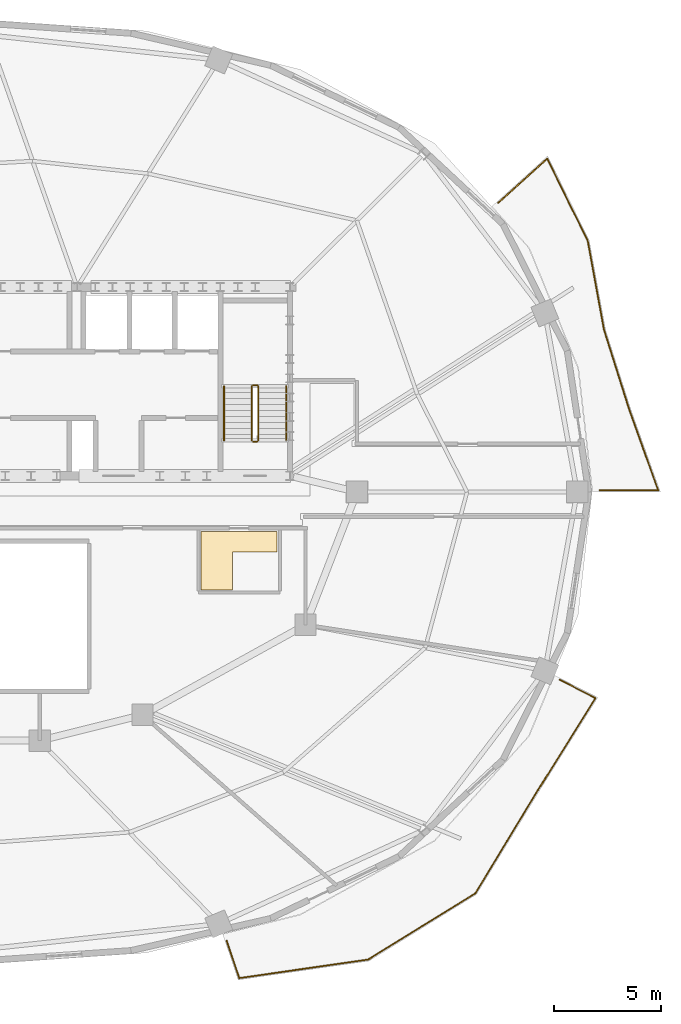
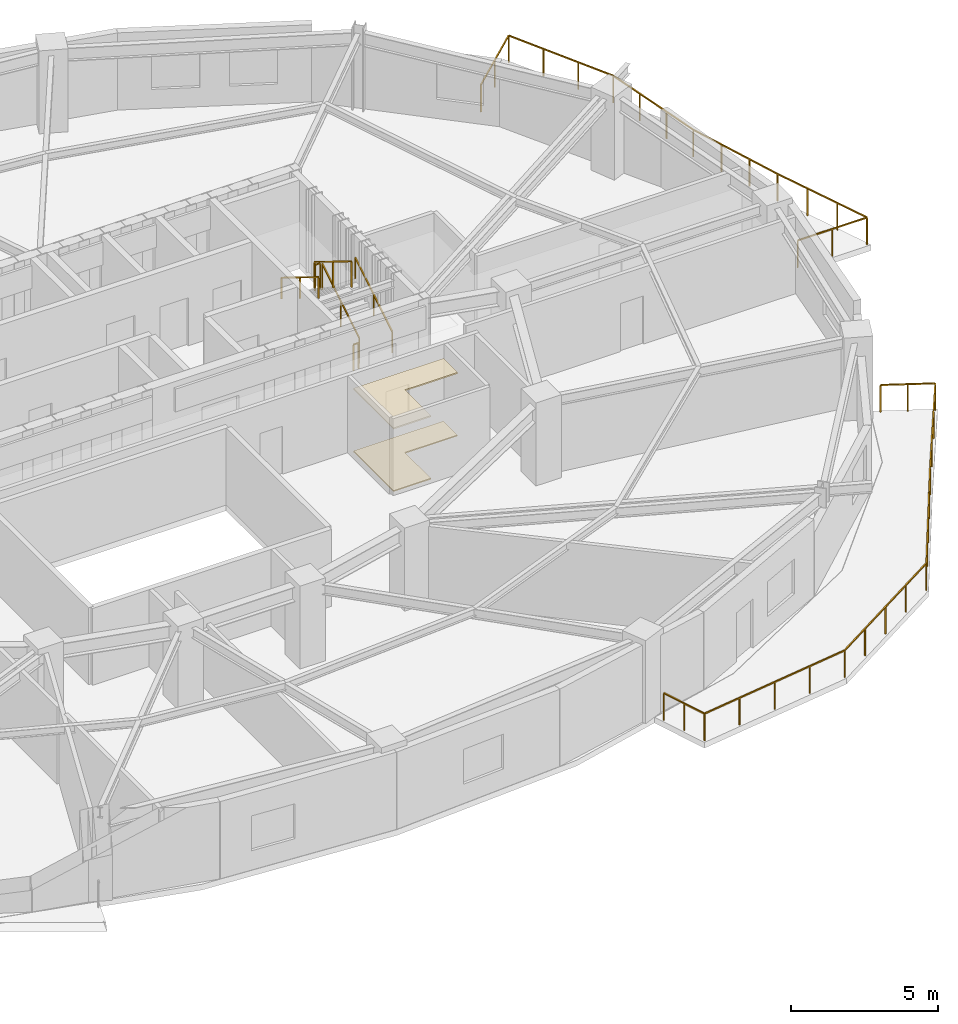
# One storey, part 11 of 11: 8 railings, 2 coverings.
"""IFC4 building model written with IfcOpenShell, lengths in metres."""

from ifc_helpers import new_model, si_unit, direction, frame, origin, origin_2d, place, context, subcontext, project, spatial, polyline, rectangle, outline, extrude, material, layer, layer_set, type_object, element, save


model = new_model("IFC4")

# Units and contexts
model_context = context("Model", 3, precision=1e-05, world=origin(), true_north=direction((0.0, 1.0)))
body_context = subcontext(model_context, "Body", "Model", "MODEL_VIEW")
ifc_project = project(units=[si_unit("LENGTHUNIT", "METRE"), si_unit("AREAUNIT", "SQUARE_METRE"), si_unit("VOLUMEUNIT", "CUBIC_METRE"), si_unit("PLANEANGLEUNIT", "RADIAN"), si_unit("MASSUNIT", "GRAM", prefix="KILO")], contexts=[model_context])

# Site, building, storey
site_placement = place(None, origin())
site = spatial("IfcSite", under=ifc_project, at=site_placement, CompositionType="ELEMENT")
building_placement = place(site_placement, origin())
building = spatial("IfcBuilding", under=site, at=building_placement, Name="Haldorwick Loom Tower", CompositionType="ELEMENT")
storey_placement = place(building_placement, frame((0.0, 0.0, 230.550048828125)))
storey = spatial("IfcBuildingStorey", under=building, at=storey_placement, Name="L62", CompositionType="ELEMENT", Elevation=230.550048828125)

# Coverings
ifc_material_1 = material(Name="Mineral Fibre Acoustic Ceiling Tile")
ifc_layer_1 = layer(ifc_material_1, 0.054931640625, Name="Mineral Fibre Acoustic Ceiling Tile")
ifc_layer_set_1 = layer_set([ifc_layer_1], Name="Mineral Fibre Acoustic Ceiling Tile")
covering_type_1 = type_object("IfcCoveringType", Name="ARC-COV-CEIL2", PredefinedType="CEILING", material=ifc_layer_set_1)
covering_1_placement = place(storey_placement, frame((0.0, 0.0, 2.594970703125)))
element("IfcCovering", 1, at=covering_1_placement, inside=storey, type_object=covering_type_1, Name="L62 Acoustic Suspended Ceiling 2", PredefinedType="CEILING", context=body_context, shape_type="SweptSolid", body=[
    extrude(outline(polyline([(45.929931640625, 24.159912109375), (45.929931640625, 21.429931640625), (47.39990234375, 21.429931640625), (47.39990234375, 23.199951171875), (49.469970703125, 23.199951171875), (49.469970703125, 24.159912109375), (45.929931640625, 24.159912109375)])), origin(), (0.0, 0.0, 1.0), 0.054931640625),
])
ifc_material_2 = material(Name="Polished Aggregate Terrazzo Finish")
ifc_layer_2 = layer(ifc_material_2, 0.044921875, Name="Polished Aggregate Terrazzo Finish")
ifc_layer_set_2 = layer_set([ifc_layer_2], Name="Polished Aggregate Terrazzo Finish")
covering_type_2 = type_object("IfcCoveringType", Name="ARC-COV-FLOOR2", PredefinedType="FLOORING", material=ifc_layer_set_2)
covering_2_placement = place(storey_placement, origin())
element("IfcCovering", 2, at=covering_2_placement, inside=storey, type_object=covering_type_2, Name="L62 Floor Finish 2", PredefinedType="FLOORING", context=body_context, shape_type="SweptSolid", body=[
    extrude(outline(polyline([(45.929931640625, 24.159912109375), (45.929931640625, 21.429931640625), (47.39990234375, 21.429931640625), (47.39990234375, 23.199951171875), (49.469970703125, 23.199951171875), (49.469970703125, 24.159912109375), (45.929931640625, 24.159912109375)])), origin(), (0.0, 0.0, 1.0), 0.044921875),
])

# Railings
ifc_material_3 = material(Name="Galvanized Steel CSA G40.21 350W", Category="steel")
railing_type_1 = type_object("IfcRailingType", Name="ARC-RLG-BAL115", PredefinedType="BALUSTRADE", material=ifc_material_3)
railing_1_placement = place(storey_placement, frame((62.661376953125, 17.2353515625, 0.0)))
element("IfcRailing", 3, at=railing_1_placement, inside=storey, type_object=railing_type_1, Name="L62 Outdoor Terrace Guardrail SLB-L62-BAL_SE-1", PredefinedType="BALUSTRADE", context=body_context, shape_type="SweptSolid", body=[
    extrude(rectangle(XDim=0.048095703125, YDim=0.048095703125, at=origin_2d()), frame((0.0, 0.0, 1.1259765625), z_axis=(0.890893691189, -0.454211878973, 0.0), x_axis=(0.454211878973, 0.890893691189, 0.0)), (0.0, 0.0, 1.0), 1.8662109375),
    extrude(rectangle(XDim=0.048095703125, YDim=0.048095703125, at=origin_2d()), frame((1.66259765625, -0.84765625, 1.1259765625), z_axis=(-0.530279090567, -0.847823145536, 0.0), x_axis=(0.847823145536, -0.530279090567, 0.0)), (0.0, 0.0, 1.0), 5.012939453125),
    extrude(rectangle(XDim=0.048095703125, YDim=0.048095703125, at=origin_2d()), frame((-0.99560546875, -5.09765625, 1.1259765625), z_axis=(-0.6, -0.8, 0.0), x_axis=(0.8, -0.6, 0.0)), (0.0, 0.0, 1.0), 0.001220703125),
    extrude(rectangle(XDim=0.048095703125, YDim=0.048095703125, at=origin_2d()), frame((-0.996337890625, -5.0986328125, 1.1259765625), z_axis=(-0.519275509601, -0.854606895086, 0.0), x_axis=(0.854606895086, -0.519275509601, 0.0)), (0.0, 0.0, 1.0), 5.6767578125),
    extrude(rectangle(XDim=0.048095703125, YDim=0.048095703125, at=origin_2d()), frame((-3.944091796875, -9.949951171875, 1.1259765625), z_axis=(-0.850370602088, -0.526184225442, 0.0), x_axis=(0.526184225442, -0.850370602088, 0.0)), (0.0, 0.0, 1.0), 5.870361328125),
    extrude(rectangle(XDim=0.048095703125, YDim=0.048095703125, at=origin_2d()), frame((-8.93603515625, -13.038818359375, 1.1259765625), z_axis=(-0.989779162617, -0.142608587572, 0.0), x_axis=(0.142608587572, -0.989779162617, 0.0)), (0.0, 0.0, 1.0), 6.073974609375),
    extrude(rectangle(XDim=0.048095703125, YDim=0.048095703125, at=origin_2d()), frame((-14.947998046875, -13.905029296875, 1.1259765625), z_axis=(-0.320464888743, 0.94726039455, 0.0), x_axis=(-0.94726039455, -0.320464888743, 0.0)), (0.0, 0.0, 1.0), 1.84814453125),
    extrude(rectangle(XDim=0.0419921875, YDim=0.0419921875, at=origin_2d()), origin(), (0.0, 0.0, 1.0), 1.101806640625),
    extrude(rectangle(XDim=0.0419921875, YDim=0.0419921875, at=origin_2d()), frame((0.831298828125, -0.423828125, 0.0)), (0.0, 0.0, 1.0), 1.101806640625),
    extrude(rectangle(XDim=0.0419921875, YDim=0.0419921875, at=origin_2d()), frame((1.66259765625, -0.84765625, 0.0)), (0.0, 0.0, 1.0), 1.101806640625),
    extrude(rectangle(XDim=0.0419921875, YDim=0.0419921875, at=origin_2d()), frame((0.776611328125, -2.264404296875, 0.0)), (0.0, 0.0, 1.0), 1.101806640625),
    extrude(rectangle(XDim=0.0419921875, YDim=0.0419921875, at=origin_2d()), frame((-0.109619140625, -3.680908203125, 0.0)), (0.0, 0.0, 1.0), 1.101806640625),
    extrude(rectangle(XDim=0.0419921875, YDim=0.0419921875, at=origin_2d()), frame((-0.99560546875, -5.09765625, 0.0)), (0.0, 0.0, 1.0), 1.101806640625),
    extrude(rectangle(XDim=0.0419921875, YDim=0.0419921875, at=origin_2d()), frame((-1.7333984375, -6.3115234375, 0.0)), (0.0, 0.0, 1.0), 1.101806640625),
    extrude(rectangle(XDim=0.0419921875, YDim=0.0419921875, at=origin_2d()), frame((-2.47021484375, -7.5244140625, 0.0)), (0.0, 0.0, 1.0), 1.101806640625),
    extrude(rectangle(XDim=0.0419921875, YDim=0.0419921875, at=origin_2d()), frame((-3.20703125, -8.737060546875, 0.0)), (0.0, 0.0, 1.0), 1.101806640625),
    extrude(rectangle(XDim=0.0419921875, YDim=0.0419921875, at=origin_2d()), frame((-3.944091796875, -9.949951171875, 0.0)), (0.0, 0.0, 1.0), 1.101806640625),
    extrude(rectangle(XDim=0.0419921875, YDim=0.0419921875, at=origin_2d()), frame((-5.192138671875, -10.72216796875, 0.0)), (0.0, 0.0, 1.0), 1.101806640625),
    extrude(rectangle(XDim=0.0419921875, YDim=0.0419921875, at=origin_2d()), frame((-6.43994140625, -11.494384765625, 0.0)), (0.0, 0.0, 1.0), 1.101806640625),
    extrude(rectangle(XDim=0.0419921875, YDim=0.0419921875, at=origin_2d()), frame((-7.68798828125, -12.2666015625, 0.0)), (0.0, 0.0, 1.0), 1.101806640625),
    extrude(rectangle(XDim=0.0419921875, YDim=0.0419921875, at=origin_2d()), frame((-8.93603515625, -13.038818359375, 0.0)), (0.0, 0.0, 1.0), 1.101806640625),
    extrude(rectangle(XDim=0.0419921875, YDim=0.0419921875, at=origin_2d()), frame((-10.43896484375, -13.25537109375, 0.0)), (0.0, 0.0, 1.0), 1.101806640625),
    extrude(rectangle(XDim=0.0419921875, YDim=0.0419921875, at=origin_2d()), frame((-11.94189453125, -13.471923828125, 0.0)), (0.0, 0.0, 1.0), 1.101806640625),
    extrude(rectangle(XDim=0.0419921875, YDim=0.0419921875, at=origin_2d()), frame((-13.445068359375, -13.6884765625, 0.0)), (0.0, 0.0, 1.0), 1.101806640625),
    extrude(rectangle(XDim=0.0419921875, YDim=0.0419921875, at=origin_2d()), frame((-14.947998046875, -13.905029296875, 0.0)), (0.0, 0.0, 1.0), 1.101806640625),
    extrude(rectangle(XDim=0.0419921875, YDim=0.0419921875, at=origin_2d()), frame((-15.244140625, -13.02978515625, 0.0)), (0.0, 0.0, 1.0), 1.101806640625),
    extrude(rectangle(XDim=0.0419921875, YDim=0.0419921875, at=origin_2d()), frame((-15.540283203125, -12.154296875, 0.0)), (0.0, 0.0, 1.0), 1.101806640625),
])
railing_2_placement = place(storey_placement, frame((59.788818359375, 39.48046875, 0.0)))
element("IfcRailing", 4, at=railing_2_placement, inside=storey, type_object=railing_type_1, Name="L62 Outdoor Terrace Guardrail SLB-L62-BAL_ENE-1", PredefinedType="BALUSTRADE", context=body_context, shape_type="SweptSolid", body=[
    extrude(rectangle(XDim=0.048095703125, YDim=0.048095703125, at=origin_2d()), frame((0.0, 0.0, 1.1259765625), z_axis=(0.741629818427, 0.670809371148, 0.0), x_axis=(-0.670809371148, 0.741629818427, 0.0)), (0.0, 0.0, 1.0), 3.074951171875),
    extrude(rectangle(XDim=0.048095703125, YDim=0.048095703125, at=origin_2d()), frame((2.280517578125, 2.062744140625, 1.1259765625), z_axis=(0.441327923255, -0.897345899949, 0.0), x_axis=(0.897345899949, 0.441327923255, 0.0)), (0.0, 0.0, 1.0), 4.287841796875),
    extrude(rectangle(XDim=0.048095703125, YDim=0.048095703125, at=origin_2d()), frame((4.1728515625, -1.784912109375, 1.1259765625), z_axis=(0.179997784383, -0.983667015619, 0.0), x_axis=(0.983667015619, 0.179997784383, 0.0)), (0.0, 0.0, 1.0), 4.210205078125),
    extrude(rectangle(XDim=0.048095703125, YDim=0.048095703125, at=origin_2d()), frame((4.9306640625, -5.92626953125, 1.1259765625), z_axis=(0.242535625036, -0.970142500145, 0.0), x_axis=(0.970142500145, 0.242535625036, 0.0)), (0.0, 0.0, 1.0), 0.010009765625),
    extrude(rectangle(XDim=0.048095703125, YDim=0.048095703125, at=origin_2d()), frame((4.93310546875, -5.93603515625, 1.1259765625), z_axis=(0.301772587329, -0.953379937662, 0.0), x_axis=(0.953379937662, 0.301772587329, 0.0)), (0.0, 0.0, 1.0), 3.880859375),
    extrude(rectangle(XDim=0.048095703125, YDim=0.048095703125, at=origin_2d()), frame((6.104248046875, -9.635986328125, 1.1259765625), z_axis=(0.341743063087, -0.939793423488, 0.0), x_axis=(0.939793423488, 0.341743063087, 0.0)), (0.0, 0.0, 1.0), 0.0029296875),
    extrude(rectangle(XDim=0.048095703125, YDim=0.048095703125, at=origin_2d()), frame((6.105224609375, -9.638671875, 1.1259765625), z_axis=(0.337156851185, -0.941448489137, 0.0), x_axis=(0.941448489137, 0.337156851185, 0.0)), (0.0, 0.0, 1.0), 3.99560546875),
    extrude(rectangle(XDim=0.048095703125, YDim=0.048095703125, at=origin_2d()), frame((7.452392578125, -13.400390625, 1.1259765625), z_axis=(-1.0, 0.0, 0.0), x_axis=(0.0, -1.0, 0.0)), (0.0, 0.0, 1.0), 2.731689453125),
    extrude(rectangle(XDim=0.0419921875, YDim=0.0419921875, at=origin_2d()), origin(), (0.0, 0.0, 1.0), 1.101806640625),
    extrude(rectangle(XDim=0.0419921875, YDim=0.0419921875, at=origin_2d()), frame((1.14013671875, 1.03125, 0.0)), (0.0, 0.0, 1.0), 1.101806640625),
    extrude(rectangle(XDim=0.0419921875, YDim=0.0419921875, at=origin_2d()), frame((2.280517578125, 2.062744140625, 0.0)), (0.0, 0.0, 1.0), 1.101806640625),
    extrude(rectangle(XDim=0.0419921875, YDim=0.0419921875, at=origin_2d()), frame((2.911376953125, 0.7802734375, 0.0)), (0.0, 0.0, 1.0), 1.101806640625),
    extrude(rectangle(XDim=0.0419921875, YDim=0.0419921875, at=origin_2d()), frame((3.5419921875, -0.50244140625, 0.0)), (0.0, 0.0, 1.0), 1.101806640625),
    extrude(rectangle(XDim=0.0419921875, YDim=0.0419921875, at=origin_2d()), frame((4.1728515625, -1.784912109375, 0.0)), (0.0, 0.0, 1.0), 1.101806640625),
    extrude(rectangle(XDim=0.0419921875, YDim=0.0419921875, at=origin_2d()), frame((4.425537109375, -3.165283203125, 0.0)), (0.0, 0.0, 1.0), 1.101806640625),
    extrude(rectangle(XDim=0.0419921875, YDim=0.0419921875, at=origin_2d()), frame((4.677978515625, -4.5458984375, 0.0)), (0.0, 0.0, 1.0), 1.101806640625),
    extrude(rectangle(XDim=0.0419921875, YDim=0.0419921875, at=origin_2d()), frame((4.9306640625, -5.92626953125, 0.0)), (0.0, 0.0, 1.0), 1.101806640625),
    extrude(rectangle(XDim=0.0419921875, YDim=0.0419921875, at=origin_2d()), frame((5.323486328125, -7.16943359375, 0.0)), (0.0, 0.0, 1.0), 1.101806640625),
    extrude(rectangle(XDim=0.0419921875, YDim=0.0419921875, at=origin_2d()), frame((5.7138671875, -8.402587890625, 0.0)), (0.0, 0.0, 1.0), 1.101806640625),
    extrude(rectangle(XDim=0.0419921875, YDim=0.0419921875, at=origin_2d()), frame((6.104248046875, -9.635986328125, 0.0)), (0.0, 0.0, 1.0), 1.101806640625),
    extrude(rectangle(XDim=0.0419921875, YDim=0.0419921875, at=origin_2d()), frame((6.55419921875, -10.892578125, 0.0)), (0.0, 0.0, 1.0), 1.101806640625),
    extrude(rectangle(XDim=0.0419921875, YDim=0.0419921875, at=origin_2d()), frame((7.00341796875, -12.146484375, 0.0)), (0.0, 0.0, 1.0), 1.101806640625),
    extrude(rectangle(XDim=0.0419921875, YDim=0.0419921875, at=origin_2d()), frame((7.452392578125, -13.400390625, 0.0)), (0.0, 0.0, 1.0), 1.101806640625),
    extrude(rectangle(XDim=0.0419921875, YDim=0.0419921875, at=origin_2d()), frame((6.08642578125, -13.400390625, 0.0)), (0.0, 0.0, 1.0), 1.101806640625),
    extrude(rectangle(XDim=0.0419921875, YDim=0.0419921875, at=origin_2d()), frame((4.720703125, -13.400390625, 0.0)), (0.0, 0.0, 1.0), 1.101806640625),
])
ifc_material_4 = material(Name="Steel CSA G40.21 350W", Category="steel")
railing_type_2 = type_object("IfcRailingType", Name="ARC-RLG-GUARD112", PredefinedType="GUARDRAIL", material=ifc_material_4)
railing_3_placement = place(storey_placement, frame((48.60009765625, 28.39990234375, 0.17236328125)))
element("IfcRailing", 5, at=railing_3_placement, inside=storey, type_object=railing_type_2, Name="L62 ST-02 stair guard 1", PredefinedType="GUARDRAIL", context=body_context, shape_type="SweptSolid", body=[
    extrude(rectangle(XDim=0.048095703125, YDim=0.048095703125, at=origin_2d()), frame((0.0, 0.0, 1.076171875), z_axis=(0.0, 0.851400495292, 0.524516154772), x_axis=(-1.0, 0.0, 0.0)), (0.0, 0.0, 1.0), 2.9599609375),
    extrude(rectangle(XDim=0.0419921875, YDim=0.0419921875, at=origin_2d()), origin(), (0.0, 0.0, 1.0), 1.052001953125),
    extrude(rectangle(XDim=0.0419921875, YDim=0.0419921875, at=origin_2d()), frame((0.0, 1.260009765625, 0.7763671875)), (0.0, 0.0, 1.0), 1.052001953125),
    extrude(rectangle(XDim=0.0419921875, YDim=0.0419921875, at=origin_2d()), frame((0.0, 2.52001953125, 1.552490234375)), (0.0, 0.0, 1.0), 1.052001953125),
])
railing_4_placement = place(storey_placement, frame((48.550048828125, 30.969970703125, 1.724853515625)))
element("IfcRailing", 6, at=railing_4_placement, inside=storey, type_object=railing_type_2, Name="L62 ST-02 stair guard 2", PredefinedType="GUARDRAIL", context=body_context, shape_type="SweptSolid", body=[
    extrude(rectangle(XDim=0.048095703125, YDim=0.048095703125, at=origin_2d()), frame((0.0, 0.0, 1.076171875), z_axis=(-1.0, 0.0, 0.0), x_axis=(0.0, -1.0, 0.0)), (0.0, 0.0, 1.0), 0.199951171875),
    extrude(rectangle(XDim=0.0419921875, YDim=0.0419921875, at=origin_2d()), origin(), (0.0, 0.0, 1.0), 1.052001953125),
    extrude(rectangle(XDim=0.0419921875, YDim=0.0419921875, at=origin_2d()), frame((-0.199951171875, 0.0, 0.0)), (0.0, 0.0, 1.0), 1.052001953125),
])
railing_5_placement = place(storey_placement, frame((48.300048828125, 30.919921875, 1.8974609375)))
element("IfcRailing", 7, at=railing_5_placement, inside=storey, type_object=railing_type_2, Name="L62 ST-02 stair guard 3", PredefinedType="GUARDRAIL", context=body_context, shape_type="SweptSolid", body=[
    extrude(rectangle(XDim=0.048095703125, YDim=0.048095703125, at=origin_2d()), frame((0.0, 0.0, 1.076171875), z_axis=(0.0, -0.851400495292, 0.524516154772), x_axis=(1.0, 0.0, 0.0)), (0.0, 0.0, 1.0), 2.9599609375),
    extrude(rectangle(XDim=0.0419921875, YDim=0.0419921875, at=origin_2d()), origin(), (0.0, 0.0, 1.0), 1.052001953125),
    extrude(rectangle(XDim=0.0419921875, YDim=0.0419921875, at=origin_2d()), frame((0.0, -1.260009765625, 0.7763671875)), (0.0, 0.0, 1.0), 1.052001953125),
    extrude(rectangle(XDim=0.0419921875, YDim=0.0419921875, at=origin_2d()), frame((0.0, -2.52001953125, 1.552490234375)), (0.0, 0.0, 1.0), 1.052001953125),
])
railing_6_placement = place(storey_placement, frame((48.550048828125, 28.35009765625, 0.0)))
element("IfcRailing", 8, at=railing_6_placement, inside=storey, type_object=railing_type_2, Name="L62 ST-02 stair guard 4", PredefinedType="GUARDRAIL", context=body_context, shape_type="SweptSolid", body=[
    extrude(rectangle(XDim=0.048095703125, YDim=0.048095703125, at=origin_2d()), frame((0.0, 0.0, 1.076171875), z_axis=(-1.0, 0.0, 0.0), x_axis=(0.0, -1.0, 0.0)), (0.0, 0.0, 1.0), 0.199951171875),
    extrude(rectangle(XDim=0.0419921875, YDim=0.0419921875, at=origin_2d()), origin(), (0.0, 0.0, 1.0), 1.052001953125),
    extrude(rectangle(XDim=0.0419921875, YDim=0.0419921875, at=origin_2d()), frame((-0.199951171875, 0.0, 0.0)), (0.0, 0.0, 1.0), 1.052001953125),
])
railing_type_3 = type_object("IfcRailingType", Name="ARC-RLG-HAND092", PredefinedType="HANDRAIL", material=ifc_material_4)
railing_7_placement = place(storey_placement, frame((49.89990234375, 28.39990234375, 0.17236328125)))
element("IfcRailing", 9, at=railing_7_placement, inside=storey, type_object=railing_type_3, Name="L62 ST-02 stair handrail 1", PredefinedType="HANDRAIL", context=body_context, shape_type="SweptSolid", body=[
    extrude(rectangle(XDim=0.048095703125, YDim=0.048095703125, at=origin_2d()), frame((0.0, 0.0, 0.8759765625), z_axis=(0.0, 0.851400495292, 0.524516154772), x_axis=(-1.0, 0.0, 0.0)), (0.0, 0.0, 1.0), 2.9599609375),
    extrude(rectangle(XDim=0.0419921875, YDim=0.0419921875, at=origin_2d()), origin(), (0.0, 0.0, 1.0), 0.851806640625),
    extrude(rectangle(XDim=0.0419921875, YDim=0.0419921875, at=origin_2d()), frame((0.0, 1.260009765625, 0.7763671875)), (0.0, 0.0, 1.0), 0.851806640625),
    extrude(rectangle(XDim=0.0419921875, YDim=0.0419921875, at=origin_2d()), frame((0.0, 2.52001953125, 1.552490234375)), (0.0, 0.0, 1.0), 0.851806640625),
])
railing_8_placement = place(storey_placement, frame((47.0, 30.919921875, 1.8974609375)))
element("IfcRailing", 10, at=railing_8_placement, inside=storey, type_object=railing_type_3, Name="L62 ST-02 stair handrail 2", PredefinedType="HANDRAIL", context=body_context, shape_type="SweptSolid", body=[
    extrude(rectangle(XDim=0.048095703125, YDim=0.048095703125, at=origin_2d()), frame((0.0, 0.0, 0.8759765625), z_axis=(0.0, -0.851400495292, 0.524516154772), x_axis=(1.0, 0.0, 0.0)), (0.0, 0.0, 1.0), 2.9599609375),
    extrude(rectangle(XDim=0.0419921875, YDim=0.0419921875, at=origin_2d()), origin(), (0.0, 0.0, 1.0), 0.851806640625),
    extrude(rectangle(XDim=0.0419921875, YDim=0.0419921875, at=origin_2d()), frame((0.0, -1.260009765625, 0.7763671875)), (0.0, 0.0, 1.0), 0.851806640625),
    extrude(rectangle(XDim=0.0419921875, YDim=0.0419921875, at=origin_2d()), frame((0.0, -2.52001953125, 1.552490234375)), (0.0, 0.0, 1.0), 0.851806640625),
])

save(model, "model.ifc")
